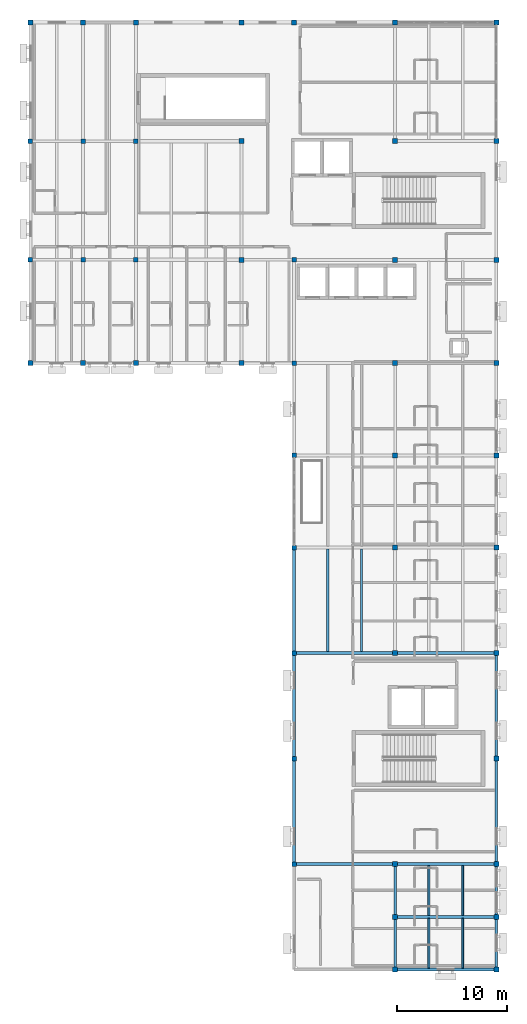
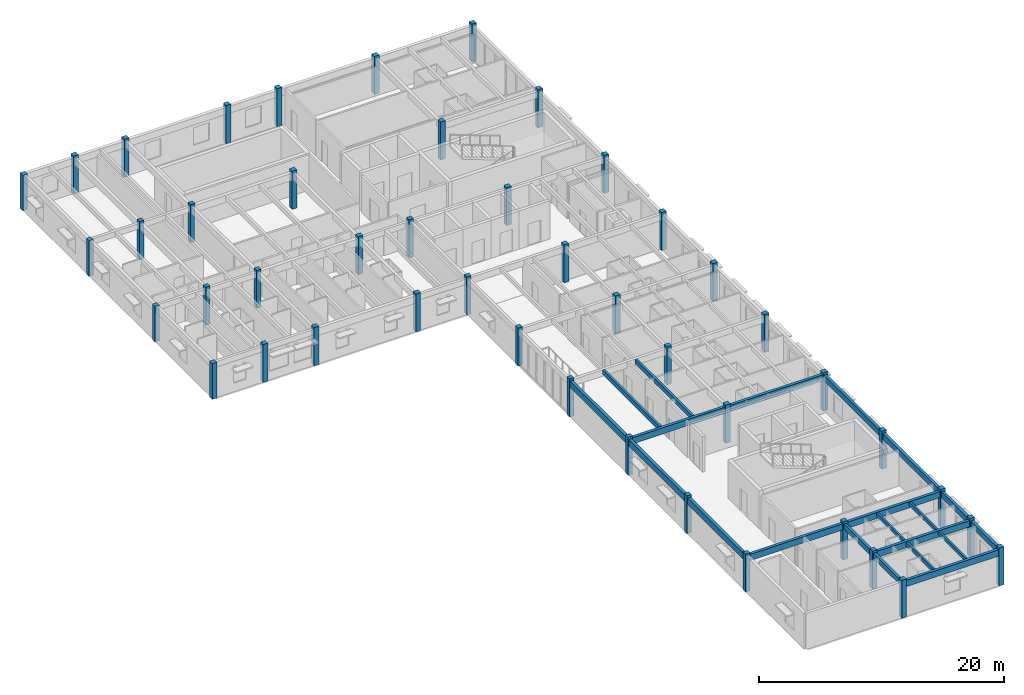
# One storey, part 1 of 17: 45 columns, 21 beams.
"""IFC4 building model written with IfcOpenShell, lengths in metres."""

from ifc_helpers import new_model, si_unit, direction, frame, origin, origin_2d, place, context, subcontext, project, spatial, rectangle, extrude, material, material_profile, profile_set, type_object, element, save


model = new_model("IFC4")

# Units and contexts
model_context = context("Model", 3, precision=1e-05, world=origin(), true_north=direction((0.0, 1.0)))
body_context = subcontext(model_context, "Body", "Model", "MODEL_VIEW")
ifc_project = project(units=[si_unit("LENGTHUNIT", "METRE"), si_unit("AREAUNIT", "SQUARE_METRE"), si_unit("VOLUMEUNIT", "CUBIC_METRE"), si_unit("PLANEANGLEUNIT", "RADIAN"), si_unit("MASSUNIT", "GRAM", prefix="KILO")], contexts=[model_context])

# Site, building, storey
site_placement = place(None, origin())
site = spatial("IfcSite", under=ifc_project, at=site_placement, CompositionType="ELEMENT")
building_placement = place(site_placement, origin())
building = spatial("IfcBuilding", under=site, at=building_placement, Name="Veldera Park Congress Hotel", CompositionType="ELEMENT")
storey_placement = place(building_placement, frame((0.0, 0.0, 35.199951171875)))
storey = spatial("IfcBuildingStorey", under=building, at=storey_placement, Name="L08", CompositionType="ELEMENT", Elevation=35.199951171875)

# Columns
ifc_material = material(Name="Glulam GL28h (NDS 24F-V4)", Category="wood")
ifc_material_profile_1 = material_profile(ifc_material, rectangle(XDim=0.419921875, YDim=0.419921875, at=origin_2d()), Name="GL28h 420x420")
ifc_profile_set_1 = profile_set([ifc_material_profile_1], Name="Glulam GL28h (NDS 24F-V4)")
column_type_1 = type_object("IfcColumnType", Name="COL-GL42", PredefinedType="COLUMN", material=ifc_profile_set_1)
for number, where, z_axis, x_axis, name in (
    (1, (41.60009765625, 36.39990234375, 0.0), (0.0, 0.0, 1.0), (1.0, 0.0, 0.0), "L08 Column COL-GL42 (41.6,36.4)"),
    (2, (41.60009765625, 47.199951171875, 0.0), (0.0, 0.0, 1.0), (1.0, 0.0, 0.0), "L08 Column COL-GL42 (41.6,47.2)"),
):
    element("IfcColumn", number, at=place(storey_placement, frame(where, z_axis=z_axis, x_axis=x_axis)), inside=storey, type_object=column_type_1, Name=name, PredefinedType="COLUMN", context=body_context, shape_type="SweptSolid", body=[
        extrude(rectangle(XDim=0.419921875, YDim=0.419921875, at=origin_2d()), origin(), (0.0, 0.0, 1.0), 3.56494140625),
    ])
for number, where, z_axis, x_axis, name in (
    (3, (65.60009765625, -18.60009765625, 0.0), (0.0, 0.0, 1.0), (1.0, 0.0, 0.0), "L08 Column COL-GL42 (65.6,-18.6)"),
    (4, (65.60009765625, -9.0, 0.0), (0.0, 0.0, 1.0), (1.0, 0.0, 0.0), "L08 Column COL-GL42 (65.6,-9.0)"),
    (5, (65.60009765625, 0.60009765625, 0.0), (0.0, 0.0, 1.0), (1.0, 0.0, 0.0), "L08 Column COL-GL42 (65.6,0.6)"),
    (6, (65.60009765625, 10.199951171875, 0.0), (0.0, 0.0, 1.0), (1.0, 0.0, 0.0), "L08 Column COL-GL42 (65.6,10.2)"),
    (7, (65.60009765625, 18.60009765625, 0.0), (0.0, 0.0, 1.0), (1.0, 0.0, 0.0), "L08 Column COL-GL42 (65.6,18.6)"),
    (8, (65.60009765625, 27.0, 0.0), (0.0, 0.0, 1.0), (1.0, 0.0, 0.0), "L08 Column COL-GL42 (65.6,27.0)"),
    (9, (65.60009765625, 36.39990234375, 0.0), (0.0, 0.0, 1.0), (1.0, 0.0, 0.0), "L08 Column COL-GL42 (65.6,36.4)"),
    (10, (46.39990234375, 36.39990234375, 0.0), (0.0, 0.0, 1.0), (1.0, 0.0, 0.0), "L08 Column COL-GL42 (46.4,36.4)"),
    (11, (46.39990234375, 47.199951171875, 0.0), (0.0, 0.0, 1.0), (1.0, 0.0, 0.0), "L08 Column COL-GL42 (46.4,47.2)"),
    (12, (51.199951171875, 36.39990234375, 0.0), (0.0, 0.0, 1.0), (1.0, 0.0, 0.0), "L08 Column COL-GL42 (51.2,36.4)"),
    (13, (51.199951171875, 47.199951171875, 0.0), (0.0, 0.0, 1.0), (1.0, 0.0, 0.0), "L08 Column COL-GL42 (51.2,47.2)"),
):
    element("IfcColumn", number, at=place(storey_placement, frame(where, z_axis=z_axis, x_axis=x_axis)), inside=storey, type_object=column_type_1, Name=name, PredefinedType="COLUMN", context=body_context, shape_type="SweptSolid", body=[
        extrude(rectangle(XDim=0.419921875, YDim=0.419921875, at=origin_2d()), origin(), (0.0, 0.0, 1.0), 3.800048828125),
    ])
ifc_material_profile_2 = material_profile(ifc_material, rectangle(XDim=0.449951171875, YDim=0.449951171875, at=origin_2d()), Name="GL28h 450x450")
ifc_profile_set_2 = profile_set([ifc_material_profile_2], Name="Glulam GL28h (NDS 24F-V4)")
column_type_2 = type_object("IfcColumnType", Name="COL-GL42E", PredefinedType="COLUMN", material=ifc_profile_set_2)
for number, where, z_axis, x_axis, name in (
    (14, (41.60009765625, 27.0, 0.0), (0.0, 0.0, 1.0), (1.0, 0.0, 0.0), "L08 Column COL-GL42E (41.6,27.0)"),
    (15, (41.60009765625, 58.0, 0.0), (0.0, 0.0, 1.0), (1.0, 0.0, 0.0), "L08 Column COL-GL42E (41.6,58.0)"),
):
    element("IfcColumn", number, at=place(storey_placement, frame(where, z_axis=z_axis, x_axis=x_axis)), inside=storey, type_object=column_type_2, Name=name, PredefinedType="COLUMN", context=body_context, shape_type="SweptSolid", body=[
        extrude(rectangle(XDim=0.449951171875, YDim=0.449951171875, at=origin_2d()), origin(), (0.0, 0.0, 1.0), 3.56494140625),
    ])
for number, where, z_axis, x_axis, name in (
    (16, (65.60009765625, 58.0, 0.0), (0.0, 0.0, 1.0), (1.0, 0.0, 0.0), "L08 Column COL-GL42E (65.6,58.0)"),
    (17, (46.39990234375, 27.0, 0.0), (0.0, 0.0, 1.0), (1.0, 0.0, 0.0), "L08 Column COL-GL42E (46.4,27.0)"),
    (18, (46.39990234375, 58.0, 0.0), (0.0, 0.0, 1.0), (1.0, 0.0, 0.0), "L08 Column COL-GL42E (46.4,58.0)"),
    (19, (51.199951171875, 27.0, 0.0), (0.0, 0.0, 1.0), (1.0, 0.0, 0.0), "L08 Column COL-GL42E (51.2,27.0)"),
    (20, (51.199951171875, 58.0, 0.0), (0.0, 0.0, 1.0), (1.0, 0.0, 0.0), "L08 Column COL-GL42E (51.2,58.0)"),
):
    element("IfcColumn", number, at=place(storey_placement, frame(where, z_axis=z_axis, x_axis=x_axis)), inside=storey, type_object=column_type_2, Name=name, PredefinedType="COLUMN", context=body_context, shape_type="SweptSolid", body=[
        extrude(rectangle(XDim=0.449951171875, YDim=0.449951171875, at=origin_2d()), origin(), (0.0, 0.0, 1.0), 3.800048828125),
    ])
ifc_material_profile_3 = material_profile(ifc_material, rectangle(XDim=0.449951171875, YDim=0.449951171875, at=origin_2d()), Name="GL28h 450x450")
ifc_profile_set_3 = profile_set([ifc_material_profile_3], Name="Glulam GL28h (NDS 24F-V4)")
column_type_3 = type_object("IfcColumnType", Name="COL-GL45", PredefinedType="COLUMN", material=ifc_profile_set_3)
for number, where, z_axis, x_axis, name in (
    (21, (74.800048828125, -28.199951171875, 0.0), (0.0, 0.0, 1.0), (1.0, 0.0, 0.0), "L08 Column COL-GL45 (74.8,-28.2)"),
    (22, (74.800048828125, -23.39990234375, 0.0), (0.0, 0.0, 1.0), (1.0, 0.0, 0.0), "L08 Column COL-GL45 (74.8,-23.4)"),
    (23, (74.800048828125, -18.60009765625, 0.0), (0.0, 0.0, 1.0), (1.0, 0.0, 0.0), "L08 Column COL-GL45 (74.8,-18.6)"),
    (24, (74.800048828125, 0.60009765625, 0.0), (0.0, 0.0, 1.0), (1.0, 0.0, 0.0), "L08 Column COL-GL45 (74.8,0.6)"),
    (25, (74.800048828125, 10.199951171875, 0.0), (0.0, 0.0, 1.0), (1.0, 0.0, 0.0), "L08 Column COL-GL45 (74.8,10.2)"),
    (26, (74.800048828125, 18.60009765625, 0.0), (0.0, 0.0, 1.0), (1.0, 0.0, 0.0), "L08 Column COL-GL45 (74.8,18.6)"),
    (27, (74.800048828125, 27.0, 0.0), (0.0, 0.0, 1.0), (1.0, 0.0, 0.0), "L08 Column COL-GL45 (74.8,27.0)"),
    (28, (74.800048828125, 36.39990234375, 0.0), (0.0, 0.0, 1.0), (1.0, 0.0, 0.0), "L08 Column COL-GL45 (74.8,36.4)"),
    (29, (74.800048828125, 47.199951171875, 0.0), (0.0, 0.0, 1.0), (1.0, 0.0, 0.0), "L08 Column COL-GL45 (74.8,47.2)"),
):
    element("IfcColumn", number, at=place(storey_placement, frame(where, z_axis=z_axis, x_axis=x_axis)), inside=storey, type_object=column_type_3, Name=name, PredefinedType="COLUMN", context=body_context, shape_type="SweptSolid", body=[
        extrude(rectangle(XDim=0.449951171875, YDim=0.449951171875, at=origin_2d()), origin(), (0.0, 0.0, 1.0), 3.800048828125),
    ])
ifc_material_profile_4 = material_profile(ifc_material, rectangle(XDim=0.449951171875, YDim=0.449951171875, at=origin_2d()), Name="GL28h 450x450")
ifc_profile_set_4 = profile_set([ifc_material_profile_4], Name="Glulam GL28h (NDS 24F-V4)")
column_type_4 = type_object("IfcColumnType", Name="COL-GL45E", PredefinedType="COLUMN", material=ifc_profile_set_4)
for number, where, z_axis, x_axis, name in (
    (30, (60.800048828125, 27.0, 0.0), (0.0, 0.0, 1.0), (1.0, 0.0, 0.0), "L08 Column COL-GL45E (60.8,27.0)"),
    (31, (60.800048828125, 36.39990234375, 0.0), (0.0, 0.0, 1.0), (1.0, 0.0, 0.0), "L08 Column COL-GL45E (60.8,36.4)"),
    (32, (60.800048828125, 47.199951171875, 0.0), (0.0, 0.0, 1.0), (1.0, 0.0, 0.0), "L08 Column COL-GL45E (60.8,47.2)"),
    (33, (60.800048828125, 58.0, 0.0), (0.0, 0.0, 1.0), (1.0, 0.0, 0.0), "L08 Column COL-GL45E (60.8,58.0)"),
    (34, (74.800048828125, 58.0, 0.0), (0.0, 0.0, 1.0), (1.0, 0.0, 0.0), "L08 Column COL-GL45E (74.8,58.0)"),
    (35, (84.0, -28.199951171875, 0.0), (0.0, 0.0, 1.0), (1.0, 0.0, 0.0), "L08 Column COL-GL45E (84.0,-28.2)"),
    (36, (84.0, -23.39990234375, 0.0), (0.0, 0.0, 1.0), (1.0, 0.0, 0.0), "L08 Column COL-GL45E (84.0,-23.4)"),
    (37, (84.0, -18.60009765625, 0.0), (0.0, 0.0, 1.0), (1.0, 0.0, 0.0), "L08 Column COL-GL45E (84.0,-18.6)"),
    (38, (84.0, -9.0, 0.0), (0.0, 0.0, 1.0), (1.0, 0.0, 0.0), "L08 Column COL-GL45E (84.0,-9.0)"),
    (39, (84.0, 0.60009765625, 0.0), (0.0, 0.0, 1.0), (1.0, 0.0, 0.0), "L08 Column COL-GL45E (84.0,0.6)"),
    (40, (84.0, 10.199951171875, 0.0), (0.0, 0.0, 1.0), (1.0, 0.0, 0.0), "L08 Column COL-GL45E (84.0,10.2)"),
    (41, (84.0, 18.60009765625, 0.0), (0.0, 0.0, 1.0), (1.0, 0.0, 0.0), "L08 Column COL-GL45E (84.0,18.6)"),
    (42, (84.0, 27.0, 0.0), (0.0, 0.0, 1.0), (1.0, 0.0, 0.0), "L08 Column COL-GL45E (84.0,27.0)"),
    (43, (84.0, 36.39990234375, 0.0), (0.0, 0.0, 1.0), (1.0, 0.0, 0.0), "L08 Column COL-GL45E (84.0,36.4)"),
    (44, (84.0, 47.199951171875, 0.0), (0.0, 0.0, 1.0), (1.0, 0.0, 0.0), "L08 Column COL-GL45E (84.0,47.2)"),
    (45, (84.0, 58.0, 0.0), (0.0, 0.0, 1.0), (1.0, 0.0, 0.0), "L08 Column COL-GL45E (84.0,58.0)"),
):
    element("IfcColumn", number, at=place(storey_placement, frame(where, z_axis=z_axis, x_axis=x_axis)), inside=storey, type_object=column_type_4, Name=name, PredefinedType="COLUMN", context=body_context, shape_type="SweptSolid", body=[
        extrude(rectangle(XDim=0.449951171875, YDim=0.449951171875, at=origin_2d()), origin(), (0.0, 0.0, 1.0), 3.800048828125),
    ])

# Beams
ifc_material_profile_5 = material_profile(ifc_material, rectangle(XDim=0.239990234375, YDim=0.5400390625, at=origin_2d()), Name="GL28h 240x540")
ifc_profile_set_5 = profile_set([ifc_material_profile_5], Name="Glulam GL28h (NDS 24F-V4)")
beam_type_1 = type_object("IfcBeamType", Name="BM-GL540", PredefinedType="BEAM", material=ifc_profile_set_5)
for number, where, z_axis, x_axis, name in (
    (46, (74.800048828125, -27.97509765625, 3.295166015625), (0.0, 1.0, 0.0), (-1.0, 0.0, 0.0), "L08 Girder BM-GL540 1782"),
    (47, (74.800048828125, -23.175048828125, 3.295166015625), (0.0, 1.0, 0.0), (-1.0, 0.0, 0.0), "L08 Girder BM-GL540 1783"),
):
    element("IfcBeam", number, at=place(storey_placement, frame(where, z_axis=z_axis, x_axis=x_axis)), inside=storey, type_object=beam_type_1, Name=name, PredefinedType="BEAM", context=body_context, shape_type="SweptSolid", body=[
        extrude(rectangle(XDim=0.239990234375, YDim=0.5400390625, at=origin_2d()), origin(), (0.0, 0.0, 1.0), 4.35009765625),
    ])
ifc_material_profile_6 = material_profile(ifc_material, rectangle(XDim=0.264892578125, YDim=0.580078125, at=origin_2d()), Name="GL28h 265x580")
ifc_profile_set_6 = profile_set([ifc_material_profile_6], Name="Glulam GL28h (NDS 24F-V4)")
beam_type_2 = type_object("IfcBeamType", Name="BM-GL540E", PredefinedType="BEAM", material=ifc_profile_set_6)
for number, where, z_axis, x_axis, name in (
    (48, (84.0, -27.97509765625, 3.275146484375), (0.0, 1.0, 0.0), (-1.0, 0.0, 0.0), "L08 Girder BM-GL540E 1788"),
    (49, (84.0, -23.175048828125, 3.275146484375), (0.0, 1.0, 0.0), (-1.0, 0.0, 0.0), "L08 Girder BM-GL540E 1789"),
):
    element("IfcBeam", number, at=place(storey_placement, frame(where, z_axis=z_axis, x_axis=x_axis)), inside=storey, type_object=beam_type_2, Name=name, PredefinedType="BEAM", context=body_context, shape_type="SweptSolid", body=[
        extrude(rectangle(XDim=0.264892578125, YDim=0.580078125, at=origin_2d()), origin(), (0.0, 0.0, 1.0), 4.35009765625),
    ])
for number, where, z_axis, x_axis, name in (
    (50, (84.0, -18.375, 3.275146484375), (0.0, 1.0, 0.0), (-1.0, 0.0, 0.0), "L08 Girder BM-GL540E 1790"),
    (51, (84.0, -8.77490234375, 3.275146484375), (0.0, 1.0, 0.0), (-1.0, 0.0, 0.0), "L08 Girder BM-GL540E 1791"),
):
    element("IfcBeam", number, at=place(storey_placement, frame(where, z_axis=z_axis, x_axis=x_axis)), inside=storey, type_object=beam_type_2, Name=name, PredefinedType="BEAM", context=body_context, shape_type="SweptSolid", body=[
        extrude(rectangle(XDim=0.264892578125, YDim=0.580078125, at=origin_2d()), origin(), (0.0, 0.0, 1.0), 9.14990234375),
    ])
ifc_material_profile_7 = material_profile(ifc_material, rectangle(XDim=0.264892578125, YDim=0.6201171875, at=origin_2d()), Name="GL28h 265x620")
ifc_profile_set_7 = profile_set([ifc_material_profile_7], Name="Glulam GL28h (NDS 24F-V4)")
beam_type_3 = type_object("IfcBeamType", Name="BM-GL620", PredefinedType="BEAM", material=ifc_profile_set_7)
for number, where, z_axis, x_axis, name in (
    (52, (75.02490234375, -28.199951171875, 3.255126953125), (1.0, 0.0, 0.0), (0.0, 1.0, 0.0), "L08 Girder BM-GL620 1733"),
    (53, (75.02490234375, -23.39990234375, 3.255126953125), (1.0, 0.0, 0.0), (0.0, 1.0, 0.0), "L08 Girder BM-GL620 1734"),
):
    element("IfcBeam", number, at=place(storey_placement, frame(where, z_axis=z_axis, x_axis=x_axis)), inside=storey, type_object=beam_type_3, Name=name, PredefinedType="BEAM", context=body_context, shape_type="SweptSolid", body=[
        extrude(rectangle(XDim=0.264892578125, YDim=0.6201171875, at=origin_2d()), origin(), (0.0, 0.0, 1.0), 8.75),
    ])
beam_1_placement = place(storey_placement, frame((65.81005859375, -18.60009765625, 3.255126953125), z_axis=(1.0, 0.0, 0.0), x_axis=(0.0, 1.0, 0.0)))
element("IfcBeam", 54, at=beam_1_placement, inside=storey, type_object=beam_type_3, Name="L08 Girder BM-GL620 1735", PredefinedType="BEAM", context=body_context, shape_type="SweptSolid", body=[
    extrude(rectangle(XDim=0.264892578125, YDim=0.6201171875, at=origin_2d()), origin(), (0.0, 0.0, 1.0), 8.764892578125),
])
beam_2_placement = place(storey_placement, frame((75.02490234375, -18.60009765625, 3.255126953125), z_axis=(1.0, 0.0, 0.0), x_axis=(0.0, 1.0, 0.0)))
element("IfcBeam", 55, at=beam_2_placement, inside=storey, type_object=beam_type_3, Name="L08 Girder BM-GL620 1736", PredefinedType="BEAM", context=body_context, shape_type="SweptSolid", body=[
    extrude(rectangle(XDim=0.264892578125, YDim=0.6201171875, at=origin_2d()), origin(), (0.0, 0.0, 1.0), 8.75),
])
beam_3_placement = place(storey_placement, frame((65.81005859375, 0.60009765625, 3.255126953125), z_axis=(1.0, 0.0, 0.0), x_axis=(0.0, 1.0, 0.0)))
element("IfcBeam", 56, at=beam_3_placement, inside=storey, type_object=beam_type_3, Name="L08 Girder BM-GL620 1737", PredefinedType="BEAM", context=body_context, shape_type="SweptSolid", body=[
    extrude(rectangle(XDim=0.264892578125, YDim=0.6201171875, at=origin_2d()), origin(), (0.0, 0.0, 1.0), 8.764892578125),
])
beam_4_placement = place(storey_placement, frame((75.02490234375, 0.60009765625, 3.255126953125), z_axis=(1.0, 0.0, 0.0), x_axis=(0.0, 1.0, 0.0)))
element("IfcBeam", 57, at=beam_4_placement, inside=storey, type_object=beam_type_3, Name="L08 Girder BM-GL620 1738", PredefinedType="BEAM", context=body_context, shape_type="SweptSolid", body=[
    extrude(rectangle(XDim=0.264892578125, YDim=0.6201171875, at=origin_2d()), origin(), (0.0, 0.0, 1.0), 8.75),
])
ifc_material_profile_8 = material_profile(ifc_material, rectangle(XDim=0.280029296875, YDim=0.639892578125, at=origin_2d()), Name="GL28h 280x640")
ifc_profile_set_8 = profile_set([ifc_material_profile_8], Name="Glulam GL28h (NDS 24F-V4)")
beam_type_4 = type_object("IfcBeamType", Name="BM-GL640", PredefinedType="BEAM", material=ifc_profile_set_8)
for number, where, z_axis, x_axis, name in (
    (58, (65.60009765625, -18.389892578125, 3.2451171875), (0.0, 1.0, 0.0), (-1.0, 0.0, 0.0), "L08 Girder BM-GL640 1776"),
    (59, (65.60009765625, -8.7900390625, 3.2451171875), (0.0, 1.0, 0.0), (-1.0, 0.0, 0.0), "L08 Girder BM-GL640 1777"),
    (60, (65.60009765625, 0.81005859375, 3.2451171875), (0.0, 1.0, 0.0), (-1.0, 0.0, 0.0), "L08 Girder BM-GL640 1778"),
):
    element("IfcBeam", number, at=place(storey_placement, frame(where, z_axis=z_axis, x_axis=x_axis)), inside=storey, type_object=beam_type_4, Name=name, PredefinedType="BEAM", context=body_context, shape_type="SweptSolid", body=[
        extrude(rectangle(XDim=0.280029296875, YDim=0.639892578125, at=origin_2d()), origin(), (0.0, 0.0, 1.0), 9.179931640625),
    ])
ifc_material_profile_9 = material_profile(ifc_material, rectangle(XDim=0.179931640625, YDim=0.360107421875, at=origin_2d()), Name="GL28h 180x360")
ifc_profile_set_9 = profile_set([ifc_material_profile_9], Name="Glulam GL28h (NDS 24F-V4)")
beam_type_5 = type_object("IfcBeamType", Name="JST-GL360", PredefinedType="JOIST", material=ifc_profile_set_9)
for number, where, z_axis, x_axis, name in (
    (61, (77.86669921875, -28.0673828125, 3.385009765625), (0.0, 1.0, 0.0), (-1.0, 0.0, 0.0), "L08 Floor Joist JST-GL360 1798"),
    (62, (80.933349609375, -28.0673828125, 3.385009765625), (0.0, 1.0, 0.0), (-1.0, 0.0, 0.0), "L08 Floor Joist JST-GL360 1799"),
):
    element("IfcBeam", number, at=place(storey_placement, frame(where, z_axis=z_axis, x_axis=x_axis)), inside=storey, type_object=beam_type_5, Name=name, PredefinedType="JOIST", context=body_context, shape_type="SweptSolid", body=[
        extrude(rectangle(XDim=0.179931640625, YDim=0.360107421875, at=origin_2d()), origin(), (0.0, 0.0, 1.0), 4.534912109375),
    ])
for number, where, z_axis, x_axis, name in (
    (63, (77.86669921875, -23.267578125, 3.385009765625), (0.0, 1.0, 0.0), (-1.0, 0.0, 0.0), "L08 Floor Joist JST-GL360 1800"),
    (64, (80.933349609375, -23.267578125, 3.385009765625), (0.0, 1.0, 0.0), (-1.0, 0.0, 0.0), "L08 Floor Joist JST-GL360 1801"),
):
    element("IfcBeam", number, at=place(storey_placement, frame(where, z_axis=z_axis, x_axis=x_axis)), inside=storey, type_object=beam_type_5, Name=name, PredefinedType="JOIST", context=body_context, shape_type="SweptSolid", body=[
        extrude(rectangle(XDim=0.179931640625, YDim=0.360107421875, at=origin_2d()), origin(), (0.0, 0.0, 1.0), 4.53515625),
    ])
ifc_material_profile_10 = material_profile(ifc_material, rectangle(XDim=0.215087890625, YDim=0.449951171875, at=origin_2d()), Name="GL28h 215x450")
ifc_profile_set_10 = profile_set([ifc_material_profile_10], Name="Glulam GL28h (NDS 24F-V4)")
beam_type_6 = type_object("IfcBeamType", Name="JST-GL450", PredefinedType="JOIST", material=ifc_profile_set_10)
for number, where, z_axis, x_axis, name in (
    (65, (68.666748046875, 0.732421875, 3.340087890625), (0.0, 1.0, 0.0), (-1.0, 0.0, 0.0), "L08 Floor Joist JST-GL450 1802"),
    (66, (71.7333984375, 0.732421875, 3.340087890625), (0.0, 1.0, 0.0), (-1.0, 0.0, 0.0), "L08 Floor Joist JST-GL450 1803"),
):
    element("IfcBeam", number, at=place(storey_placement, frame(where, z_axis=z_axis, x_axis=x_axis)), inside=storey, type_object=beam_type_6, Name=name, PredefinedType="JOIST", context=body_context, shape_type="SweptSolid", body=[
        extrude(rectangle(XDim=0.215087890625, YDim=0.449951171875, at=origin_2d()), origin(), (0.0, 0.0, 1.0), 9.3349609375),
    ])

save(model, "model.ifc")
